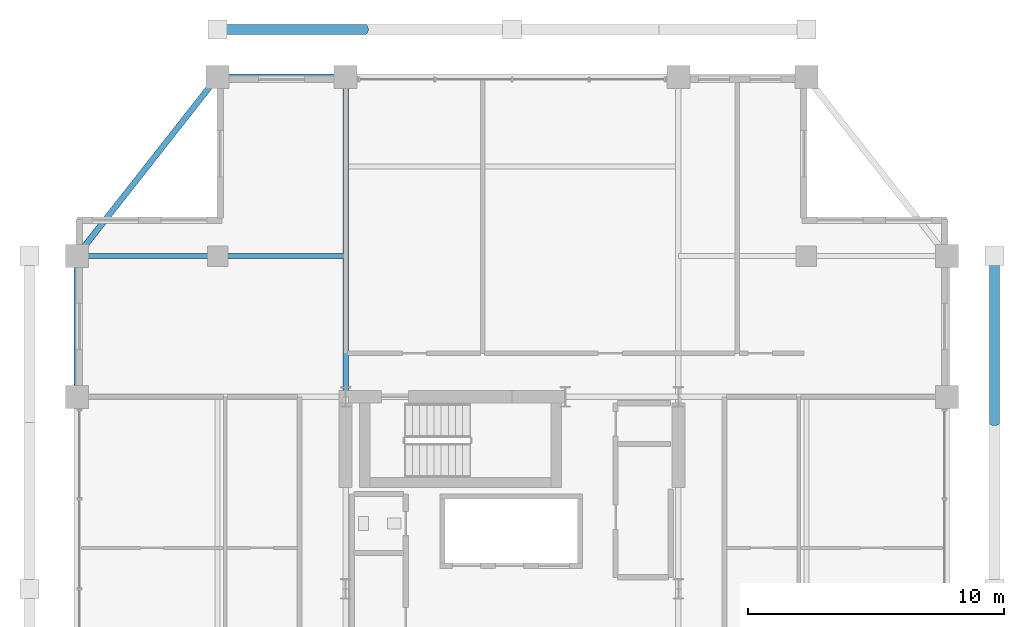
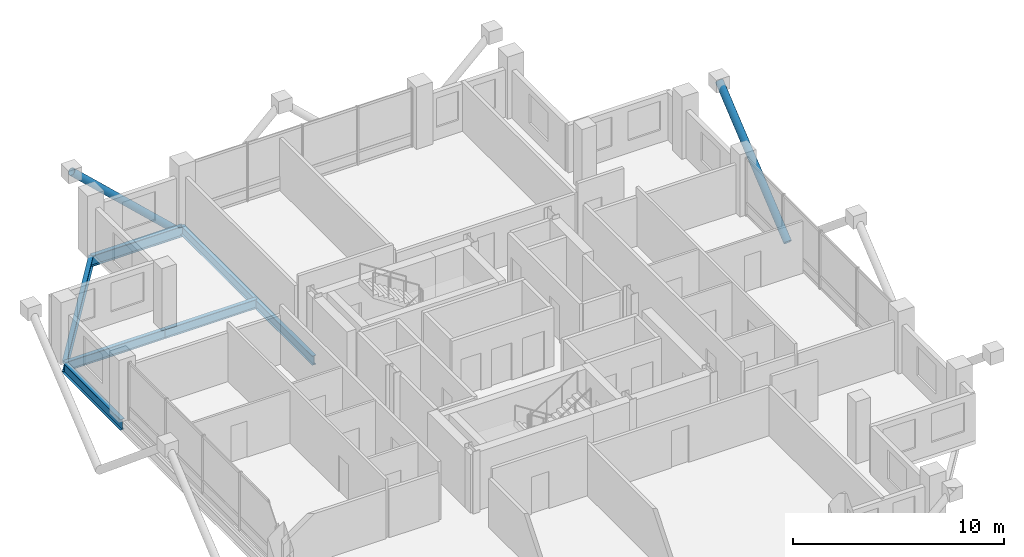
# One storey, part 13 of 23: 6 beams, 2 members.
"""IFC4 building model written with IfcOpenShell, lengths in metres."""

from ifc_helpers import new_model, si_unit, direction, frame, origin, origin_2d, place, context, subcontext, project, spatial, hollow_circle, i_section, extrude, material, material_profile, profile_set, type_object, element, save


model = new_model("IFC4")

# Units and contexts
model_context = context("Model", 3, precision=1e-05, world=origin(), true_north=direction((0.0, 1.0)))
body_context = subcontext(model_context, "Body", "Model", "MODEL_VIEW")
ifc_project = project(units=[si_unit("LENGTHUNIT", "METRE"), si_unit("AREAUNIT", "SQUARE_METRE"), si_unit("VOLUMEUNIT", "CUBIC_METRE"), si_unit("PLANEANGLEUNIT", "RADIAN"), si_unit("MASSUNIT", "GRAM", prefix="KILO")], contexts=[model_context])

# Site, building, storey
site_placement = place(None, origin())
site = spatial("IfcSite", under=ifc_project, at=site_placement, CompositionType="ELEMENT")
building_placement = place(site_placement, origin())
building = spatial("IfcBuilding", under=site, at=building_placement, Name="Barlavira Tower and Art Museum", CompositionType="ELEMENT")
storey_placement = place(building_placement, frame((0.0, 0.0, 290.699951171875)))
storey = spatial("IfcBuildingStorey", under=building, at=storey_placement, Name="L76", CompositionType="ELEMENT", Elevation=290.699951171875)

# Members
ifc_material = material(Name="Steel S355", Category="steel")
ifc_material_profile_1 = material_profile(ifc_material, hollow_circle(Radius=0.203125, WallThickness=0.01611328125, at=origin_2d()), Name="CHS 406.4x16.0")
ifc_profile_set_1 = profile_set([ifc_material_profile_1], Name="Steel S355")
member_type = type_object("IfcMemberType", Name="Pale-Metal Exoskeleton Diagrid Tube CHS 406x16 Steel S355", PredefinedType="BRACE", material=ifc_profile_set_1)
member_1_placement = place(storey_placement, frame((-5.75, 21.85009765625, -1.919921875), z_axis=(-0.728950095515, 0.0, 0.684566839869), x_axis=(0.0, -1.0, 0.0)))
element("IfcMember", 1, at=member_1_placement, inside=storey, type_object=member_type, Name="L76 Exoskeleton Diagrid Tube N", PredefinedType="BRACE", context=body_context, shape_type="SweptSolid", body=[
    extrude(hollow_circle(Radius=0.203125, WallThickness=0.01611328125, at=origin_2d()), origin(), (0.0, 0.0, 1.0), 7.887939453125),
])
member_2_placement = place(storey_placement, frame((18.85009765625, 6.5, -1.919921875), z_axis=(0.0, 0.769196053329, 0.639012857104), x_axis=(-1.0, 0.0, 0.0)))
element("IfcMember", 2, at=member_2_placement, inside=storey, type_object=member_type, Name="L76 Exoskeleton Diagrid Tube E", PredefinedType="BRACE", context=body_context, shape_type="SweptSolid", body=[
    extrude(hollow_circle(Radius=0.203125, WallThickness=0.01611328125, at=origin_2d()), origin(), (0.0, 0.0, 1.0), 8.450439453125),
])

# Beams
ifc_material_profile_2 = material_profile(ifc_material, i_section(OverallWidth=0.22998046875, OverallDepth=0.616943359375, WebThickness=0.01318359375, FlangeThickness=0.022216796875, at=origin_2d()), Name="W610x140.0")
ifc_profile_set_2 = profile_set([ifc_material_profile_2], Name="Steel S355")
beam_type_1 = type_object("IfcBeamType", Name="Upper Shaft Spandrel Edge Beam W610x140 Steel S355", PredefinedType="SPANDREL", material=ifc_profile_set_2)
beam_1_placement = place(storey_placement, frame((-11.5, 20.0, -0.528564453125), z_axis=(1.0, 0.0, 0.0), x_axis=(0.0, 1.0, 0.0)))
element("IfcBeam", 3, at=beam_1_placement, inside=storey, type_object=beam_type_1, Name="L76 Spandrel 11", PredefinedType="SPANDREL", context=body_context, shape_type="SweptSolid", body=[
    extrude(i_section(OverallWidth=0.22998046875, OverallDepth=0.616943359375, WebThickness=0.01318359375, FlangeThickness=0.022216796875, at=origin_2d()), origin(), (0.0, 0.0, 1.0), 5.0),
])
beam_2_placement = place(storey_placement, frame((-11.5, 20.0, -0.528564453125), z_axis=(-0.617821551932, -0.786318338822, 0.0), x_axis=(0.786318338822, -0.617821551932, 0.0)))
element("IfcBeam", 4, at=beam_2_placement, inside=storey, type_object=beam_type_1, Name="L76 Spandrel 12", PredefinedType="SPANDREL", context=body_context, shape_type="SweptSolid", body=[
    extrude(i_section(OverallWidth=0.22998046875, OverallDepth=0.616943359375, WebThickness=0.01318359375, FlangeThickness=0.022216796875, at=origin_2d()), origin(), (0.0, 0.0, 1.0), 8.90234375),
])
beam_3_placement = place(storey_placement, frame((-17.0, 7.5, -0.528564453125), z_axis=(0.0, 1.0, 0.0), x_axis=(-1.0, 0.0, 0.0)))
element("IfcBeam", 5, at=beam_3_placement, inside=storey, type_object=beam_type_1, Name="L76 Spandrel 13", PredefinedType="SPANDREL", context=body_context, shape_type="SweptSolid", body=[
    extrude(i_section(OverallWidth=0.22998046875, OverallDepth=0.616943359375, WebThickness=0.01318359375, FlangeThickness=0.022216796875, at=origin_2d()), origin(), (0.0, 0.0, 1.0), 5.5),
])
ifc_material_profile_3 = material_profile(ifc_material, i_section(OverallWidth=0.2109375, OverallDepth=0.5390625, WebThickness=0.01171875, FlangeThickness=0.018798828125, at=origin_2d()), Name="W530x109.0")
ifc_profile_set_3 = profile_set([ifc_material_profile_3], Name="Steel S355")
beam_type_2 = type_object("IfcBeamType", Name="Zone 3-4 Primary Floor Girder W530x109 Steel S355", PredefinedType="BEAM", material=ifc_profile_set_3)
beam_4_placement = place(storey_placement, frame((-6.5, 7.5, -0.489501953125), z_axis=(0.0, 1.0, 0.0), x_axis=(-1.0, 0.0, 0.0)))
element("IfcBeam", 6, at=beam_4_placement, inside=storey, type_object=beam_type_2, Name="L76 Girder R-N1", PredefinedType="BEAM", context=body_context, shape_type="SweptSolid", body=[
    extrude(i_section(OverallWidth=0.2109375, OverallDepth=0.5390625, WebThickness=0.01171875, FlangeThickness=0.018798828125, at=origin_2d()), origin(), (0.0, 0.0, 1.0), 12.5),
])
beam_5_placement = place(storey_placement, frame((-17.0, 13.0, -0.489501953125), z_axis=(1.0, 0.0, 0.0), x_axis=(0.0, 1.0, 0.0)))
element("IfcBeam", 7, at=beam_5_placement, inside=storey, type_object=beam_type_2, Name="L76 Girder I-N1", PredefinedType="BEAM", context=body_context, shape_type="SweptSolid", body=[
    extrude(i_section(OverallWidth=0.2109375, OverallDepth=0.5390625, WebThickness=0.01171875, FlangeThickness=0.018798828125, at=origin_2d()), origin(), (0.0, 0.0, 1.0), 5.5),
])
beam_6_placement = place(storey_placement, frame((-11.5, 13.0, -0.489501953125), z_axis=(1.0, 0.0, 0.0), x_axis=(0.0, 1.0, 0.0)))
element("IfcBeam", 8, at=beam_6_placement, inside=storey, type_object=beam_type_2, Name="L76 Girder I-N2", PredefinedType="BEAM", context=body_context, shape_type="SweptSolid", body=[
    extrude(i_section(OverallWidth=0.2109375, OverallDepth=0.5390625, WebThickness=0.01171875, FlangeThickness=0.018798828125, at=origin_2d()), origin(), (0.0, 0.0, 1.0), 5.0),
])

save(model, "model.ifc")
